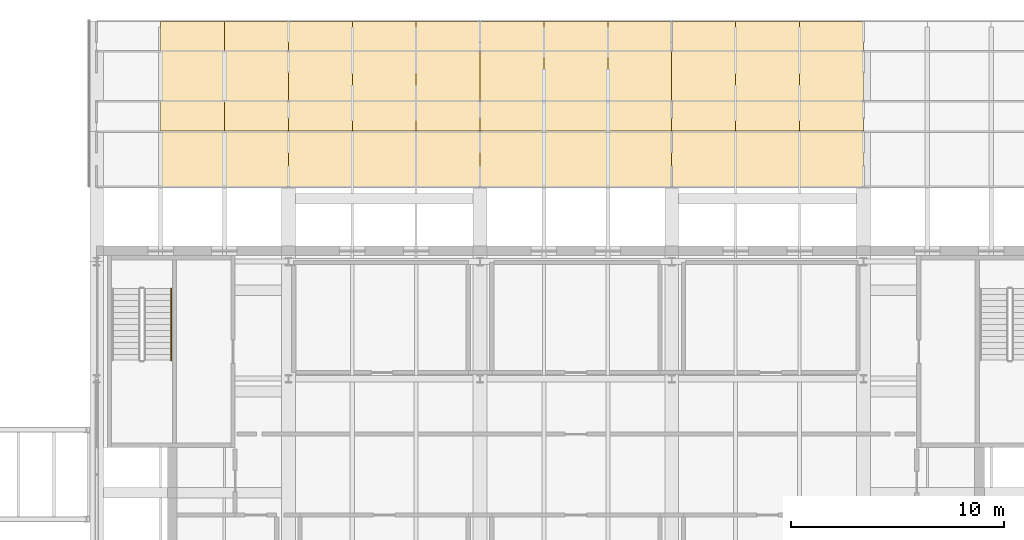
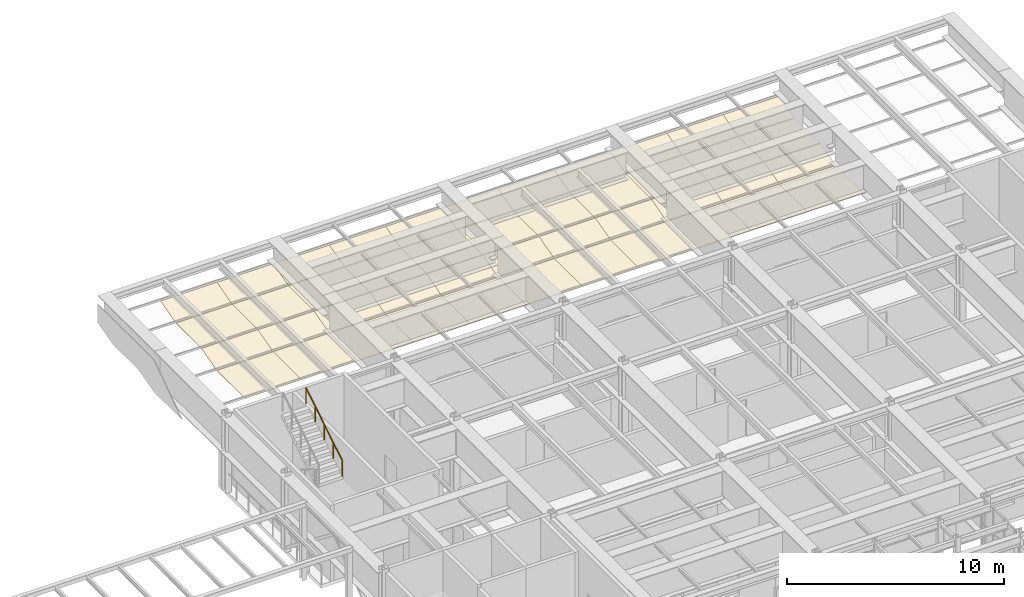
# One storey, part 147 of 153: 44 coverings, 1 railing.
"""IFC4 building model written with IfcOpenShell, lengths in metres."""

from ifc_helpers import new_model, si_unit, direction, frame, origin, origin_2d, place, context, subcontext, project, spatial, polyline, circle, outline, extrude, material, layer, layer_set, type_object, element, save


model = new_model("IFC4")

# Units and contexts
model_context = context("Model", 3, precision=1e-05, world=origin(), true_north=direction((0.0, 1.0)))
body_context = subcontext(model_context, "Body", "Model", "MODEL_VIEW")
ifc_project = project(units=[si_unit("LENGTHUNIT", "METRE"), si_unit("AREAUNIT", "SQUARE_METRE"), si_unit("VOLUMEUNIT", "CUBIC_METRE"), si_unit("PLANEANGLEUNIT", "RADIAN"), si_unit("MASSUNIT", "GRAM", prefix="KILO")], contexts=[model_context])

# Site, building, storey
site_placement = place(None, origin())
site = spatial("IfcSite", under=ifc_project, at=site_placement, CompositionType="ELEMENT")
building_placement = place(site_placement, origin())
building = spatial("IfcBuilding", under=site, at=building_placement, Name="Kallimachos Central Library", CompositionType="ELEMENT")
storey_placement = place(building_placement, frame((0.0, 0.0, 5.39990234375)))
storey = spatial("IfcBuildingStorey", under=building, at=storey_placement, Name="L01", CompositionType="ELEMENT", Elevation=5.39990234375)

# Coverings
ifc_material_1 = material(Name="Glazed ceramic soffit cladding")
ifc_layer_1 = layer(ifc_material_1, 0.0400390625)
ifc_layer_set_1 = layer_set([ifc_layer_1], Name="Ceramic soffit cladding panel 40")
covering_type_1 = type_object("IfcCoveringType", Name="Ceramic soffit cladding panel 40", PredefinedType="CLADDING", material=ifc_layer_set_1)
for number, where, z_axis, x_axis, name in (
    (1, (68.5, 116.580078125, 2.070068359375), (0.0, 0.0, 1.0), (1.0, 0.0, 0.0), "Ceramic soffit cladding panel 4.2"),
    (2, (71.5, 116.580078125, 2.070068359375), (0.0, 0.0, 1.0), (1.0, 0.0, 0.0), "Ceramic soffit cladding panel 4.3"),
    (3, (74.5, 116.580078125, 2.070068359375), (0.0, 0.0, 1.0), (1.0, 0.0, 0.0), "Ceramic soffit cladding panel 4.4"),
    (4, (77.5, 116.580078125, 2.070068359375), (0.0, 0.0, 1.0), (1.0, 0.0, 0.0), "Ceramic soffit cladding panel 4.5"),
    (5, (80.5, 116.580078125, 2.070068359375), (0.0, 0.0, 1.0), (1.0, 0.0, 0.0), "Ceramic soffit cladding panel 4.6"),
    (6, (83.5, 116.580078125, 2.070068359375), (0.0, 0.0, 1.0), (1.0, 0.0, 0.0), "Ceramic soffit cladding panel 4.7"),
    (7, (86.5, 116.580078125, 2.070068359375), (0.0, 0.0, 1.0), (1.0, 0.0, 0.0), "Ceramic soffit cladding panel 4.8"),
    (8, (89.5, 116.580078125, 2.070068359375), (0.0, 0.0, 1.0), (1.0, 0.0, 0.0), "Ceramic soffit cladding panel 4.9"),
    (9, (92.5, 116.580078125, 2.070068359375), (0.0, 0.0, 1.0), (1.0, 0.0, 0.0), "Ceramic soffit cladding panel 4.10"),
    (10, (95.5, 116.580078125, 2.070068359375), (0.0, 0.0, 1.0), (1.0, 0.0, 0.0), "Ceramic soffit cladding panel 4.11"),
    (11, (98.5, 116.580078125, 2.070068359375), (0.0, 0.0, 1.0), (1.0, 0.0, 0.0), "Ceramic soffit cladding panel 4.12"),
):
    element("IfcCovering", number, at=place(storey_placement, frame(where, z_axis=z_axis, x_axis=x_axis)), inside=storey, type_object=covering_type_1, Name=name, PredefinedType="CLADDING", context=body_context, shape_type="SweptSolid", body=[
        extrude(outline(polyline([(0.0, 0.0), (3.0, 0.0), (3.0, -2.56005859375), (0.0, -2.56005859375), (0.0, 0.0)])), origin(), (0.0, 0.0, -1.0), 0.0400390625),
    ])
ifc_material_2 = material(Name="Limestone soffit cladding", Category="masonry")
ifc_layer_2 = layer(ifc_material_2, 0.0400390625)
ifc_layer_set_2 = layer_set([ifc_layer_2], Name="Limestone soffit cladding panel 40")
covering_type_2 = type_object("IfcCoveringType", Name="Limestone soffit cladding panel 40", PredefinedType="CLADDING", material=ifc_layer_set_2)
for number, where, z_axis, x_axis, name in (
    (12, (68.5, 120.35498046875, 2.451904296875), (0.0, 0.0, 1.0), (1.0, 0.0, 0.0), "Limestone soffit cladding panel 2.2"),
    (13, (71.5, 120.35498046875, 2.451904296875), (0.0, 0.0, 1.0), (1.0, 0.0, 0.0), "Limestone soffit cladding panel 2.3"),
    (14, (74.5, 120.35498046875, 2.451904296875), (0.0, 0.0, 1.0), (1.0, 0.0, 0.0), "Limestone soffit cladding panel 2.4"),
    (15, (77.5, 120.35498046875, 2.451904296875), (0.0, 0.0, 1.0), (1.0, 0.0, 0.0), "Limestone soffit cladding panel 2.5"),
    (16, (80.5, 120.35498046875, 2.451904296875), (0.0, 0.0, 1.0), (1.0, 0.0, 0.0), "Limestone soffit cladding panel 2.6"),
    (17, (83.5, 120.35498046875, 2.451904296875), (0.0, 0.0, 1.0), (1.0, 0.0, 0.0), "Limestone soffit cladding panel 2.7"),
    (18, (86.5, 120.35498046875, 2.451904296875), (0.0, 0.0, 1.0), (1.0, 0.0, 0.0), "Limestone soffit cladding panel 2.8"),
    (19, (89.5, 120.35498046875, 2.451904296875), (0.0, 0.0, 1.0), (1.0, 0.0, 0.0), "Limestone soffit cladding panel 2.9"),
    (20, (92.5, 120.35498046875, 2.451904296875), (0.0, 0.0, 1.0), (1.0, 0.0, 0.0), "Limestone soffit cladding panel 2.10"),
    (21, (95.5, 120.35498046875, 2.451904296875), (0.0, 0.0, 1.0), (1.0, 0.0, 0.0), "Limestone soffit cladding panel 2.11"),
    (22, (98.5, 120.35498046875, 2.451904296875), (0.0, 0.0, 1.0), (1.0, 0.0, 0.0), "Limestone soffit cladding panel 2.12"),
):
    element("IfcCovering", number, at=place(storey_placement, frame(where, z_axis=z_axis, x_axis=x_axis)), inside=storey, type_object=covering_type_2, Name=name, PredefinedType="CLADDING", context=body_context, shape_type="SweptSolid", body=[
        extrude(outline(polyline([(0.0, 0.0), (3.0, 0.0), (3.0, -2.31005859375), (0.0, -2.31005859375), (0.0, 0.0)])), origin(), (0.0, 0.0, -1.0), 0.0400390625),
    ])
for number, where, z_axis, x_axis, name in (
    (23, (68.5, 118.0048828125, 2.446533203125), (0.0, -0.258849580177, 0.965917643923), (1.0, 0.0, 0.0), "Limestone soffit cladding panel 3.2"),
    (24, (71.5, 118.0048828125, 2.446533203125), (0.0, -0.258849580177, 0.965917643923), (1.0, 0.0, 0.0), "Limestone soffit cladding panel 3.3"),
    (25, (74.5, 118.0048828125, 2.446533203125), (0.0, -0.258849580177, 0.965917643923), (1.0, 0.0, 0.0), "Limestone soffit cladding panel 3.4"),
    (26, (77.5, 118.0048828125, 2.446533203125), (0.0, -0.258849580177, 0.965917643923), (1.0, 0.0, 0.0), "Limestone soffit cladding panel 3.5"),
    (27, (80.5, 118.0048828125, 2.446533203125), (0.0, -0.258849580177, 0.965917643923), (1.0, 0.0, 0.0), "Limestone soffit cladding panel 3.6"),
    (28, (83.5, 118.0048828125, 2.446533203125), (0.0, -0.258849580177, 0.965917643923), (1.0, 0.0, 0.0), "Limestone soffit cladding panel 3.7"),
    (29, (86.5, 118.0048828125, 2.446533203125), (0.0, -0.258849580177, 0.965917643923), (1.0, 0.0, 0.0), "Limestone soffit cladding panel 3.8"),
    (30, (89.5, 118.0048828125, 2.446533203125), (0.0, -0.258849580177, 0.965917643923), (1.0, 0.0, 0.0), "Limestone soffit cladding panel 3.9"),
    (31, (92.5, 118.0048828125, 2.446533203125), (0.0, -0.258849580177, 0.965917643923), (1.0, 0.0, 0.0), "Limestone soffit cladding panel 3.10"),
    (32, (95.5, 118.0048828125, 2.446533203125), (0.0, -0.258849580177, 0.965917643923), (1.0, 0.0, 0.0), "Limestone soffit cladding panel 3.11"),
    (33, (98.5, 118.0048828125, 2.446533203125), (0.0, -0.258849580177, 0.965917643923), (1.0, 0.0, 0.0), "Limestone soffit cladding panel 3.12"),
):
    element("IfcCovering", number, at=place(storey_placement, frame(where, z_axis=z_axis, x_axis=x_axis)), inside=storey, type_object=covering_type_2, Name=name, PredefinedType="CLADDING", context=body_context, shape_type="SweptSolid", body=[
        extrude(outline(polyline([(0.0, 0.0), (3.0, 0.0), (3.0, -1.4336270112796785), (0.0, -1.4336270112796785), (0.0, 0.0)])), origin(), (0.0, 0.0, -1.0), 0.0400390625),
    ])
ifc_material_3 = material(Name="Stone soffit cladding", Category="masonry")
ifc_layer_3 = layer(ifc_material_3, 0.0400390625)
ifc_layer_set_3 = layer_set([ifc_layer_3], Name="Stone soffit cladding panel 40")
covering_type_3 = type_object("IfcCoveringType", Name="Stone soffit cladding panel 40", PredefinedType="CLADDING", material=ifc_layer_set_3)
for number, where, z_axis, x_axis, name in (
    (34, (68.5, 121.780029296875, 2.828369140625), (0.0, -0.258807008322, 0.965929051454), (1.0, 0.0, 0.0), "Stone soffit cladding panel 1.2"),
    (35, (71.5, 121.780029296875, 2.828369140625), (0.0, -0.258807008322, 0.965929051454), (1.0, 0.0, 0.0), "Stone soffit cladding panel 1.3"),
    (36, (74.5, 121.780029296875, 2.828369140625), (0.0, -0.258807008322, 0.965929051454), (1.0, 0.0, 0.0), "Stone soffit cladding panel 1.4"),
    (37, (77.5, 121.780029296875, 2.828369140625), (0.0, -0.258807008322, 0.965929051454), (1.0, 0.0, 0.0), "Stone soffit cladding panel 1.5"),
    (38, (80.5, 121.780029296875, 2.828369140625), (0.0, -0.258807008322, 0.965929051454), (1.0, 0.0, 0.0), "Stone soffit cladding panel 1.6"),
    (39, (83.5, 121.780029296875, 2.828369140625), (0.0, -0.258807008322, 0.965929051454), (1.0, 0.0, 0.0), "Stone soffit cladding panel 1.7"),
    (40, (86.5, 121.780029296875, 2.828369140625), (0.0, -0.258807008322, 0.965929051454), (1.0, 0.0, 0.0), "Stone soffit cladding panel 1.8"),
    (41, (89.5, 121.780029296875, 2.828369140625), (0.0, -0.258807008322, 0.965929051454), (1.0, 0.0, 0.0), "Stone soffit cladding panel 1.9"),
    (42, (92.5, 121.780029296875, 2.828369140625), (0.0, -0.258807008322, 0.965929051454), (1.0, 0.0, 0.0), "Stone soffit cladding panel 1.10"),
    (43, (95.5, 121.780029296875, 2.828369140625), (0.0, -0.258807008322, 0.965929051454), (1.0, 0.0, 0.0), "Stone soffit cladding panel 1.11"),
    (44, (98.5, 121.780029296875, 2.828369140625), (0.0, -0.258807008322, 0.965929051454), (1.0, 0.0, 0.0), "Stone soffit cladding panel 1.12"),
):
    element("IfcCovering", number, at=place(storey_placement, frame(where, z_axis=z_axis, x_axis=x_axis)), inside=storey, type_object=covering_type_3, Name=name, PredefinedType="CLADDING", context=body_context, shape_type="SweptSolid", body=[
        extrude(outline(polyline([(0.0, 0.0), (3.0, 0.0), (3.0, -1.4338628324095999), (0.0, -1.4338628324095999), (0.0, 0.0)])), origin(), (0.0, 0.0, -1.0), 0.0400390625),
    ])

# Railing
ifc_material_4 = material(Name="Wrought iron")
railing_type = type_object("IfcRailingType", Name="Wrought-iron handrail 900", PredefinedType="HANDRAIL", material=ifc_material_4)
railing_placement = place(storey_placement, frame((69.0, 105.864990234375, 2.423095703125)))
element("IfcRailing", 45, at=railing_placement, inside=storey, type_object=railing_type, Name="L01 ST3 stair handrail 2", PredefinedType="HANDRAIL", context=body_context, shape_type="SweptSolid", body=[
    extrude(circle(Radius=0.02392578125, at=origin_2d()), frame((0.0, 0.0, 0.8759765625), z_axis=(0.0, 0.850623216509, 0.525775754039), x_axis=(-1.0, 0.0, 0.0)), (0.0, 0.0, 1.0), 3.9501953125),
    extrude(circle(Radius=0.02099609375, at=origin_2d()), origin(), (0.0, 0.0, 1.0), 0.851806640625),
    extrude(circle(Radius=0.02099609375, at=origin_2d()), frame((0.0, 0.840087890625, 0.519287109375)), (0.0, 0.0, 1.0), 0.851806640625),
    extrude(circle(Radius=0.02099609375, at=origin_2d()), frame((0.0, 1.68017578125, 1.03857421875)), (0.0, 0.0, 1.0), 0.851806640625),
    extrude(circle(Radius=0.02099609375, at=origin_2d()), frame((0.0, 2.52001953125, 1.5576171875)), (0.0, 0.0, 1.0), 0.851806640625),
    extrude(circle(Radius=0.02099609375, at=origin_2d()), frame((0.0, 3.360107421875, 2.076904296875)), (0.0, 0.0, 1.0), 0.851806640625),
])

save(model, "model.ifc")
